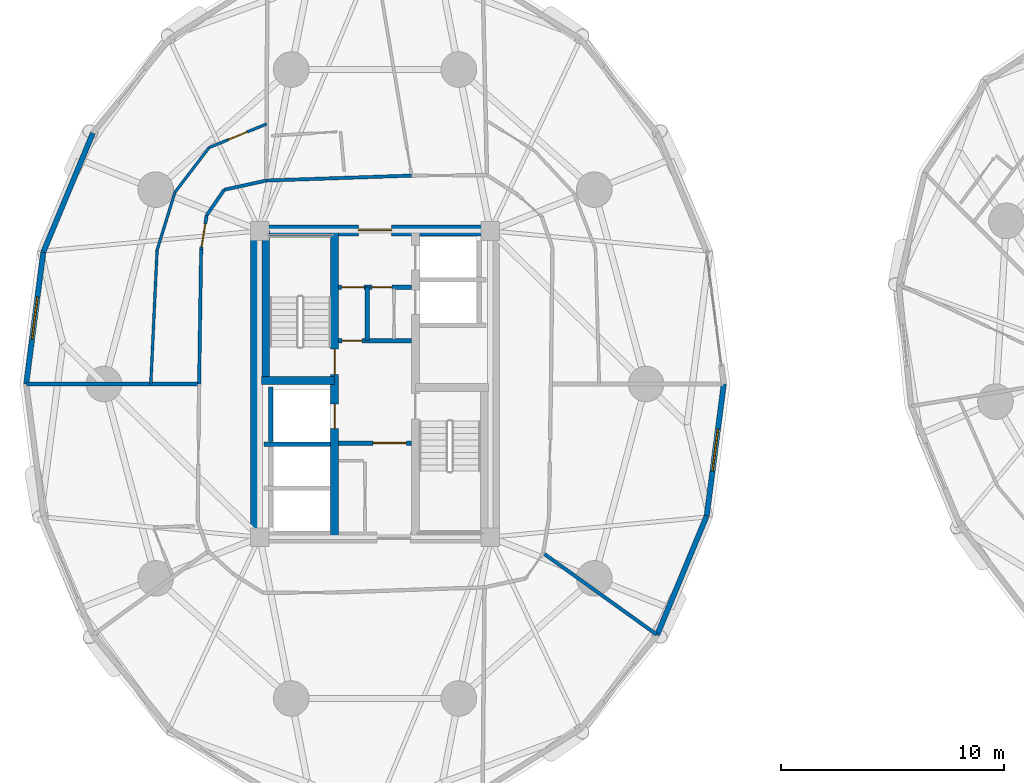
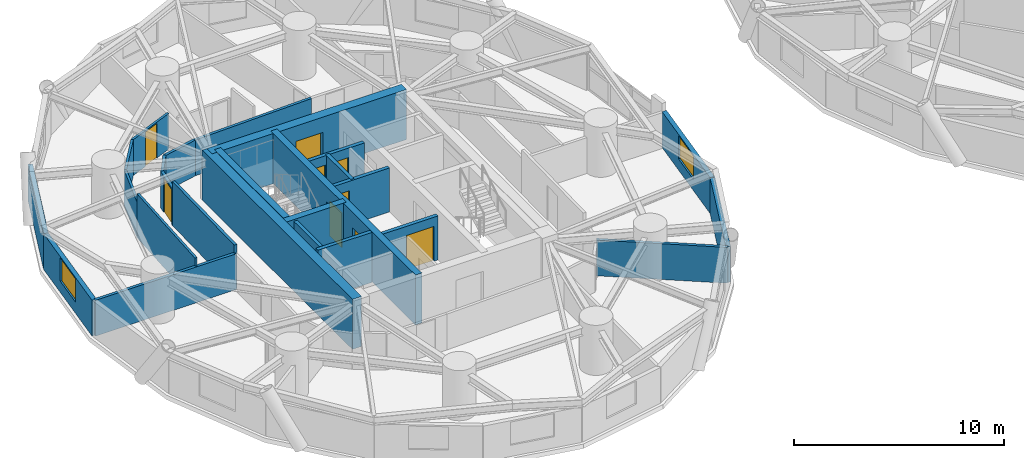
# One storey, part 9 of 16: 26 walls, 9 doors, 2 windows, 11 openings.
"""IFC4 building model written with IfcOpenShell, lengths in metres."""

from ifc_helpers import new_model, si_unit, direction, frame, frame_2d, origin, place, context, subcontext, project, spatial, rectangle, extrude, source, transform, mapped, material, layer, layer_set, type_object, element, fill, save


model = new_model("IFC4")

# Units and contexts
model_context = context("Model", 3, precision=1e-05, world=origin(), true_north=direction((0.0, 1.0)))
body_context = subcontext(model_context, "Body", "Model", "MODEL_VIEW")
ifc_project = project(units=[si_unit("LENGTHUNIT", "METRE"), si_unit("AREAUNIT", "SQUARE_METRE"), si_unit("VOLUMEUNIT", "CUBIC_METRE"), si_unit("PLANEANGLEUNIT", "RADIAN"), si_unit("MASSUNIT", "GRAM", prefix="KILO")], contexts=[model_context])

# Site, building, storey
site_placement = place(None, origin())
site = spatial("IfcSite", under=ifc_project, at=site_placement, CompositionType="ELEMENT")
building_placement = place(site_placement, origin())
building = spatial("IfcBuilding", under=site, at=building_placement, Name="Cununo Teusaquillo Station Towers", CompositionType="ELEMENT")
storey_placement = place(building_placement, frame((0.0, 0.0, 62.739990234375)))
storey = spatial("IfcBuildingStorey", under=building, at=storey_placement, Name="L19", CompositionType="ELEMENT", Elevation=62.739990234375)

# Walls
ifc_material_1 = material(Name="Concrete C50/60", Category="concrete")
ifc_layer_1 = layer(ifc_material_1, 0.199951171875)
ifc_layer_set_1 = layer_set([ifc_layer_1], Name="Concrete C50/60")
wall_type_1 = type_object("IfcWallType", Name="WL-CORE-200", PredefinedType="SHEAR", material=ifc_layer_set_1)
wall_1_placement = place(storey_placement, frame((11.52001953125, 21.800048828125, 0.0), z_axis=(0.0, 0.0, 1.0), x_axis=(1.0, 0.0, 0.0)))
element("IfcWall", 1, at=wall_1_placement, inside=storey, type_object=wall_type_1, Name="L19 Tower A Firefighting Lift Shaft South Shear Wall", PredefinedType="SHEAR", context=body_context, shape_type="SweptSolid", body=[
    extrude(rectangle(XDim=2.969970703125, YDim=0.199951171875, at=frame_2d((1.48486328125, 0.0))), origin(), (0.0, 0.0, 1.0), 2.909912109375),
])
wall_2_placement = place(storey_placement, frame((11.820068359375, 21.919921875, 0.0), z_axis=(0.0, 0.0, 1.0), x_axis=(0.0, 1.0, 0.0)))
element("IfcWall", 2, at=wall_2_placement, inside=storey, type_object=wall_type_1, Name="L19 Tower A Firefighting Lift Shaft Rear Shear Wall", PredefinedType="SHEAR", context=body_context, shape_type="SweptSolid", body=[
    extrude(rectangle(XDim=2.440185546875, YDim=0.199951171875, at=frame_2d((1.22021484375, 0.0))), origin(), (0.0, 0.0, 1.0), 2.909912109375),
])

# Wall, openings, doors
ifc_material_2 = material(Name="Concrete C50/60", Category="concrete")
ifc_layer_2 = layer(ifc_material_2, 0.35009765625)
ifc_layer_set_2 = layer_set([ifc_layer_2], Name="Concrete C50/60")
wall_type_2 = type_object("IfcWallType", Name="WL-CORE-350", PredefinedType="SHEAR", material=ifc_layer_set_2)
wall_3_placement = place(storey_placement, frame((14.68505859375, 17.60009765625, 0.0), z_axis=(0.0, 0.0, 1.0), x_axis=(0.0, 1.0, 0.0)))
wall_3 = element("IfcWall", 3, at=wall_3_placement, inside=storey, type_object=wall_type_2, Name="L19 Tower A Core Shear Wall IW", PredefinedType="SHEAR", context=body_context, shape_type="SweptSolid", body=[
    extrude(rectangle(XDim=13.7998046875, YDim=0.35009765625, at=frame_2d((6.89990234375, 0.0))), origin(), (0.0, 0.0, 1.0), 2.909912109375),
])
shared_shape_1 = source(origin(), body_context, "Body", "SweptSolid", [
    extrude(rectangle(XDim=1.10009765625, YDim=2.014892578125, at=frame_2d((0.550048828125, 1.00732421875))), frame((0.0, 0.18505859375, 0.0), z_axis=(0.0, -1.0, 0.0), x_axis=(1.0, 0.0, 0.0)), (0.0, 0.0, 1.0), 0.3701171875),
])
opening_1_placement = place(wall_3_placement, frame((4.89990234375, 0.0, 0.0)))
opening_1 = element("IfcOpeningElement", 4, at=opening_1_placement, cuts=wall_3, Name="Opening LD-01", PredefinedType="OPENING", context=body_context, shape_type="MappedRepresentation", body=[
    mapped(shared_shape_1, transform((0.0, 0.0, 0.0), x_axis=(1.0, 0.0, 0.0), y_axis=(0.0, 1.0, 0.0), z_axis=(0.0, 0.0, 1.0), scale=1.0)),
])
shared_shape_2 = source(origin(), body_context, "Body", "SweptSolid", [
    extrude(rectangle(XDim=1.14990234375, YDim=2.02001953125, at=frame_2d((0.574951171875, 1.010009765625))), frame((0.0, 0.18505859375, 0.0), z_axis=(0.0, -1.0, 0.0), x_axis=(1.0, 0.0, 0.0)), (0.0, 0.0, 1.0), 0.3701171875),
])
opening_2_placement = place(wall_3_placement, frame((7.320068359375, 0.0, 0.0)))
opening_2 = element("IfcOpeningElement", 5, at=opening_2_placement, cuts=wall_3, Name="Opening D-ST1", PredefinedType="OPENING", context=body_context, shape_type="MappedRepresentation", body=[
    mapped(shared_shape_2, transform((0.0, 0.0, 0.0), x_axis=(1.0, 0.0, 0.0), y_axis=(0.0, 1.0, 0.0), z_axis=(0.0, 0.0, 1.0), scale=1.0)),
])
ifc_material_3 = material(Name="Galvanised fire-rated hollow steel door assembly", Category="steel")
door_type_1 = type_object("IfcDoorType", Name="DR-LIFT-1100", OperationType="SLIDING_TO_LEFT", PredefinedType="DOOR", material=ifc_material_3)
shared_shape_3 = source(origin(), body_context, "Body", "SweptSolid", [
    extrude(rectangle(XDim=1.10009765625, YDim=2.014892578125, at=frame_2d((0.550048828125, 1.00732421875))), frame((0.0, 0.02490234375, 0.0), z_axis=(0.0, -1.0, 0.0), x_axis=(1.0, 0.0, 0.0)), (0.0, 0.0, 1.0), 0.050048828125),
])
door_1_placement = place(opening_1_placement, origin())
door_1 = element("IfcDoor", 6, at=door_1_placement, inside=storey, type_object=door_type_1, Name="L19 Lift FL-T1 Sliding Landing Door", OperationType="SLIDING_TO_RIGHT", OverallHeight=2.014892578125, OverallWidth=1.10009765625, PredefinedType="DOOR", context=body_context, shape_type="MappedRepresentation", body=[
    mapped(shared_shape_3, transform((0.0, 0.0, 0.0), x_axis=(1.0, 0.0, 0.0), y_axis=(0.0, 1.0, 0.0), z_axis=(0.0, 0.0, 1.0), scale=1.0)),
])
fill(opening_1, door_1)
ifc_material_4 = material(Name="Galvanised fire-rated hollow steel door assembly", Category="steel")
door_type_2 = type_object("IfcDoorType", Name="DR-STAIR-1150", OperationType="NOTDEFINED", PredefinedType="DOOR", material=ifc_material_4)
shared_shape_4 = source(origin(), body_context, "Body", "SweptSolid", [
    extrude(rectangle(XDim=1.14990234375, YDim=2.02001953125, at=frame_2d((0.574951171875, 1.010009765625))), frame((0.0, 0.02490234375, 0.0), z_axis=(0.0, -1.0, 0.0), x_axis=(1.0, 0.0, 0.0)), (0.0, 0.0, 1.0), 0.050048828125),
])
door_2_placement = place(opening_2_placement, origin())
door_2 = element("IfcDoor", 7, at=door_2_placement, inside=storey, type_object=door_type_2, Name="L19 Tower A Exit Stair 1 Fire Door", OperationType="SINGLE_SWING_RIGHT", OverallHeight=2.02001953125, OverallWidth=1.14990234375, PredefinedType="DOOR", context=body_context, shape_type="MappedRepresentation", body=[
    mapped(shared_shape_4, transform((0.0, 0.0, 0.0), x_axis=(1.0, 0.0, 0.0), y_axis=(0.0, 1.0, 0.0), z_axis=(0.0, 0.0, 1.0), scale=1.0)),
])
fill(opening_2, door_2)

# Walls
wall_4_placement = place(storey_placement, frame((11.594970703125, 24.655029296875, 0.0), z_axis=(0.0, 0.0, 1.0), x_axis=(0.0, 1.0, 0.0)))
element("IfcWall", 8, at=wall_4_placement, inside=storey, type_object=wall_type_2, Name="L19 Tower A Core Shear Wall ST1W", PredefinedType="SHEAR", context=body_context, shape_type="SweptSolid", body=[
    extrude(rectangle(XDim=6.744873046875, YDim=0.35009765625, at=frame_2d((3.37255859375, 0.0))), origin(), (0.0, 0.0, 1.0), 2.909912109375),
])
wall_5_placement = place(storey_placement, frame((11.39990234375, 24.655029296875, 0.0), z_axis=(0.0, 0.0, 1.0), x_axis=(1.0, 0.0, 0.0)))
element("IfcWall", 9, at=wall_5_placement, inside=storey, type_object=wall_type_2, Name="L19 Tower A Core Shear Wall ST1S", PredefinedType="SHEAR", context=body_context, shape_type="SweptSolid", body=[
    extrude(rectangle(XDim=3.28515625, YDim=0.35009765625, at=frame_2d((1.642578125, 0.0))), origin(), (0.0, 0.0, 1.0), 2.909912109375),
])
ifc_material_5 = material(Name="Concrete C60/75", Category="concrete")
ifc_layer_3 = layer(ifc_material_5, 0.5)
ifc_layer_set_3 = layer_set([ifc_layer_3], Name="Concrete C60/75")
wall_type_3 = type_object("IfcWallType", Name="WL-CORE-500", PredefinedType="SHEAR", material=ifc_layer_set_3)
wall_6_placement = place(storey_placement, frame((11.14990234375, 17.35009765625, 0.0), z_axis=(0.0, 0.0, 1.0), x_axis=(0.0, 1.0, 0.0)))
element("IfcWall", 10, at=wall_6_placement, inside=storey, type_object=wall_type_3, Name="L19 Tower A Core Shear Wall W", PredefinedType="SHEAR", context=body_context, shape_type="SweptSolid", body=[
    extrude(rectangle(XDim=14.2998046875, YDim=0.5, at=frame_2d((7.14990234375, 0.0))), origin(), (0.0, 0.0, 1.0), 2.909912109375),
])

# Wall, opening, door
wall_7_placement = place(storey_placement, frame((11.14990234375, 31.39990234375, 0.0), z_axis=(0.0, 0.0, 1.0), x_axis=(1.0, 0.0, 0.0)))
wall_7 = element("IfcWall", 11, at=wall_7_placement, inside=storey, type_object=wall_type_3, Name="L19 Tower A Core Shear Wall N", PredefinedType="SHEAR", context=body_context, shape_type="SweptSolid", body=[
    extrude(rectangle(XDim=10.7001953125, YDim=0.5, at=frame_2d((5.35009765625, 0.0))), origin(), (0.0, 0.0, 1.0), 2.909912109375),
])
shared_shape_5 = source(origin(), body_context, "Body", "SweptSolid", [
    extrude(rectangle(XDim=1.5, YDim=2.02001953125, at=frame_2d((0.75, 1.010009765625))), frame((0.0, 0.260009765625, 0.0), z_axis=(0.0, -1.0, 0.0), x_axis=(1.0, 0.0, 0.0)), (0.0, 0.0, 1.0), 0.52001953125),
])
opening_3_placement = place(wall_7_placement, frame((4.60009765625, 0.0, 0.0)))
opening_3 = element("IfcOpeningElement", 12, at=opening_3_placement, cuts=wall_7, Name="Opening D-LB1", PredefinedType="OPENING", context=body_context, shape_type="MappedRepresentation", body=[
    mapped(shared_shape_5, transform((0.0, 0.0, 0.0), x_axis=(1.0, 0.0, 0.0), y_axis=(0.0, 1.0, 0.0), z_axis=(0.0, 0.0, 1.0), scale=1.0)),
])
ifc_material_6 = material(Name="Galvanised fire-rated hollow steel door assembly", Category="steel")
door_type_3 = type_object("IfcDoorType", Name="DR-LOBBY-1500", OperationType="DOUBLE_DOOR_SINGLE_SWING", PredefinedType="DOOR", material=ifc_material_6)
shared_shape_6 = source(origin(), body_context, "Body", "SweptSolid", [
    extrude(rectangle(XDim=1.5, YDim=2.02001953125, at=frame_2d((0.75, 1.010009765625))), frame((0.0, 0.02490234375, 0.0), z_axis=(0.0, -1.0, 0.0), x_axis=(1.0, 0.0, 0.0)), (0.0, 0.0, 1.0), 0.050048828125),
])
door_3_placement = place(opening_3_placement, origin())
door_3 = element("IfcDoor", 13, at=door_3_placement, inside=storey, type_object=door_type_3, Name="L19 Tower A North Core Lift Lobby Door", OperationType="DOUBLE_DOOR_SINGLE_SWING", OverallHeight=2.02001953125, OverallWidth=1.5, PredefinedType="DOOR", context=body_context, shape_type="MappedRepresentation", body=[
    mapped(shared_shape_6, transform((0.0, 0.0, 0.0), x_axis=(1.0, 0.0, 0.0), y_axis=(0.0, 1.0, 0.0), z_axis=(0.0, 0.0, 1.0), scale=1.0)),
])
fill(opening_3, door_3)

# Wall
ifc_material_7 = material(Name="Precast concrete C40/50", Category="concrete")
ifc_layer_4 = layer(ifc_material_7, 0.239990234375)
ifc_layer_set_4 = layer_set([ifc_layer_4], Name="Precast concrete C40/50")
wall_type_4 = type_object("IfcWallType", Name="WL-EXT-240", PredefinedType="SOLIDWALL", material=ifc_layer_set_4)
wall_8_placement = place(storey_placement, frame((1.603515625, 30.423828125, 0.0), z_axis=(0.0, 0.0, 1.0), x_axis=(0.384348836956, 0.923187939442, 0.0)))
element("IfcWall", 14, at=wall_8_placement, inside=storey, type_object=wall_type_4, Name="L19 Tower A Exterior Facade Wall C08", PredefinedType="SOLIDWALL", context=body_context, shape_type="SweptSolid", body=[
    extrude(rectangle(XDim=5.78857421875, YDim=0.239990234375, at=frame_2d((2.894287109375, 0.0))), origin(), (0.0, 0.0, 1.0), 2.0791015625),
])

# Wall, opening, window
wall_9_placement = place(storey_placement, frame((0.8369140625, 24.5, 0.0), z_axis=(0.0, 0.0, 1.0), x_axis=(0.128339641463, 0.991730274031, 0.0)))
wall_9 = element("IfcWall", 15, at=wall_9_placement, inside=storey, type_object=wall_type_4, Name="L19 Tower A Exterior Facade Wall C09", PredefinedType="SOLIDWALL", context=body_context, shape_type="SweptSolid", body=[
    extrude(rectangle(XDim=5.97314453125, YDim=0.239990234375, at=frame_2d((2.986572265625, 0.0))), origin(), (0.0, 0.0, 1.0), 2.0791015625),
])
shared_shape_7 = source(origin(), body_context, "Body", "SweptSolid", [
    extrude(rectangle(XDim=1.89990234375, YDim=1.35009765625, at=frame_2d((0.949951171875, 0.675048828125))), frame((0.0, 0.1298828125, 0.0), z_axis=(0.0, -1.0, 0.0), x_axis=(1.0, 0.0, 0.0)), (0.0, 0.0, 1.0), 0.260009765625),
])
opening_4_placement = place(wall_9_placement, frame((2.037109375, 0.0, 0.64990234375)))
opening_4 = element("IfcOpeningElement", 16, at=opening_4_placement, cuts=wall_9, Name="Opening WN-02", PredefinedType="OPENING", context=body_context, shape_type="MappedRepresentation", body=[
    mapped(shared_shape_7, transform((0.0, 0.0, 0.0), x_axis=(1.0, 0.0, 0.0), y_axis=(0.0, 1.0, 0.0), z_axis=(0.0, 0.0, 1.0), scale=1.0)),
])
ifc_material_8 = material(Name="Operable acoustic tinted low-E double glazing", Category="glass")
window_type = type_object("IfcWindowType", Name="WIN-OPER-1900", PartitioningType="DOUBLE_PANEL_VERTICAL", PredefinedType="WINDOW", material=ifc_material_8)
shared_shape_8 = source(origin(), body_context, "Body", "SweptSolid", [
    extrude(rectangle(XDim=1.89990234375, YDim=1.35009765625, at=frame_2d((0.949951171875, 0.675048828125))), frame((0.0, 0.030029296875, 0.0), z_axis=(0.0, -1.0, 0.0), x_axis=(1.0, 0.0, 0.0)), (0.0, 0.0, 1.0), 0.06005859375),
])
window_1_placement = place(opening_4_placement, origin())
window_1 = element("IfcWindow", 17, at=window_1_placement, inside=storey, type_object=window_type, Name="L19 Tower A Facade Window C09", OverallHeight=1.35009765625, OverallWidth=1.89990234375, PartitioningType="DOUBLE_PANEL_VERTICAL", PredefinedType="WINDOW", context=body_context, shape_type="MappedRepresentation", body=[
    mapped(shared_shape_8, transform((0.0, 0.0, 0.0), x_axis=(1.0, 0.0, 0.0), y_axis=(0.0, 1.0, 0.0), z_axis=(0.0, 0.0, 1.0), scale=1.0)),
])
fill(opening_4, window_1)

# Wall
wall_10_placement = place(storey_placement, frame((31.396484375, 18.576171875, 0.0), z_axis=(0.0, 0.0, 1.0), x_axis=(-0.384348836956, -0.923187939442, 0.0)))
element("IfcWall", 18, at=wall_10_placement, inside=storey, type_object=wall_type_4, Name="L19 Tower A Exterior Facade Wall C18", PredefinedType="SOLIDWALL", context=body_context, shape_type="SweptSolid", body=[
    extrude(rectangle(XDim=5.78857421875, YDim=0.239990234375, at=frame_2d((2.894287109375, 0.0))), origin(), (0.0, 0.0, 1.0), 2.0791015625),
])

# Wall, opening, window
wall_11_placement = place(storey_placement, frame((32.1630859375, 24.5, 0.0), z_axis=(0.0, 0.0, 1.0), x_axis=(-0.128339641463, -0.991730274031, 0.0)))
wall_11 = element("IfcWall", 19, at=wall_11_placement, inside=storey, type_object=wall_type_4, Name="L19 Tower A Exterior Facade Wall C19", PredefinedType="SOLIDWALL", context=body_context, shape_type="SweptSolid", body=[
    extrude(rectangle(XDim=5.97314453125, YDim=0.239990234375, at=frame_2d((2.986572265625, 0.0))), origin(), (0.0, 0.0, 1.0), 2.0791015625),
])
opening_5_placement = place(wall_11_placement, frame((2.037109375, 0.0, 0.64990234375)))
opening_5 = element("IfcOpeningElement", 20, at=opening_5_placement, cuts=wall_11, Name="Opening WN-02", PredefinedType="OPENING", context=body_context, shape_type="MappedRepresentation", body=[
    mapped(shared_shape_7, transform((0.0, 0.0, 0.0), x_axis=(1.0, 0.0, 0.0), y_axis=(0.0, 1.0, 0.0), z_axis=(0.0, 0.0, 1.0), scale=1.0)),
])
window_2_placement = place(opening_5_placement, origin())
window_2 = element("IfcWindow", 21, at=window_2_placement, inside=storey, type_object=window_type, Name="L19 Tower A Facade Window C19", OverallHeight=1.35009765625, OverallWidth=1.89990234375, PartitioningType="DOUBLE_PANEL_VERTICAL", PredefinedType="WINDOW", context=body_context, shape_type="MappedRepresentation", body=[
    mapped(shared_shape_8, transform((0.0, 0.0, 0.0), x_axis=(1.0, 0.0, 0.0), y_axis=(0.0, 1.0, 0.0), z_axis=(0.0, 0.0, 1.0), scale=1.0)),
])
fill(opening_5, window_2)

# Wall, opening, door
ifc_material_9 = material(Name="Fire-rated gypsum plasterboard partition assembly", Category="gypsum")
ifc_layer_5 = layer(ifc_material_9, 0.125)
ifc_layer_set_5 = layer_set([ifc_layer_5], Name="Fire-rated gypsum plasterboard partition assembly")
wall_type_5 = type_object("IfcWallType", Name="WL-PART-125", PredefinedType="PARTITIONING", material=ifc_layer_set_5)
wall_12_placement = place(storey_placement, frame((11.6328125, 36.17822265625, 0.0), z_axis=(0.0, 0.0, 1.0), x_axis=(-0.92528752303, -0.379266396779, 0.0)))
wall_12 = element("IfcWall", 22, at=wall_12_placement, inside=storey, type_object=wall_type_5, Name="L19 Tower A Wellness Fitness & Movement Hall Concentric Partition Wall C06", PredefinedType="PARTITIONING", context=body_context, shape_type="SweptSolid", body=[
    extrude(rectangle(XDim=2.79052734375, YDim=0.125, at=frame_2d((1.395263671875, 0.0))), origin(), (0.0, 0.0, 1.0), 2.0791015625),
])
shared_shape_9 = source(origin(), body_context, "Body", "SweptSolid", [
    extrude(rectangle(XDim=0.89990234375, YDim=2.0048828125, at=frame_2d((0.449951171875, 1.00244140625))), frame((0.0, 0.072509765625, 0.0), z_axis=(0.0, -1.0, 0.0), x_axis=(1.0, 0.0, 0.0)), (0.0, 0.0, 1.0), 0.14501953125),
])
opening_6_placement = place(wall_12_placement, frame((0.9453125, 0.0, 0.0)))
opening_6 = element("IfcOpeningElement", 23, at=opening_6_placement, cuts=wall_12, Name="Opening D-IN1", PredefinedType="OPENING", context=body_context, shape_type="MappedRepresentation", body=[
    mapped(shared_shape_9, transform((0.0, 0.0, 0.0), x_axis=(1.0, 0.0, 0.0), y_axis=(0.0, 1.0, 0.0), z_axis=(0.0, 0.0, 1.0), scale=1.0)),
])
ifc_material_10 = material(Name="Acoustic solid-core hardwood leaf assembly", Category="wood")
door_type_4 = type_object("IfcDoorType", Name="DR-INT-900", OperationType="NOTDEFINED", PredefinedType="DOOR", material=ifc_material_10)
shared_shape_10 = source(origin(), body_context, "Body", "SweptSolid", [
    extrude(rectangle(XDim=0.89990234375, YDim=2.0048828125, at=frame_2d((0.449951171875, 1.00244140625))), frame((0.0, 0.02490234375, 0.0), z_axis=(0.0, -1.0, 0.0), x_axis=(1.0, 0.0, 0.0)), (0.0, 0.0, 1.0), 0.050048828125),
])
door_4_placement = place(opening_6_placement, origin())
door_4 = element("IfcDoor", 24, at=door_4_placement, inside=storey, type_object=door_type_4, Name="L19 Tower A Wellness Fitness & Movement Hall Connecting Door", OperationType="SINGLE_SWING_LEFT", OverallHeight=2.0048828125, OverallWidth=0.89990234375, PredefinedType="DOOR", context=body_context, shape_type="MappedRepresentation", body=[
    mapped(shared_shape_10, transform((0.0, 0.0, 0.0), x_axis=(1.0, 0.0, 0.0), y_axis=(0.0, 1.0, 0.0), z_axis=(0.0, 0.0, 1.0), scale=1.0)),
])
fill(opening_6, door_4)

# Walls
wall_13_placement = place(storey_placement, frame((9.05078125, 35.119873046875, 0.0), z_axis=(0.0, 0.0, 1.0), x_axis=(-0.607256827378, -0.79450559822, 0.0)))
element("IfcWall", 25, at=wall_13_placement, inside=storey, type_object=wall_type_5, Name="L19 Tower A Wellness Fitness & Movement Hall Concentric Partition Wall C07", PredefinedType="PARTITIONING", context=body_context, shape_type="SweptSolid", body=[
    extrude(rectangle(XDim=2.531982421875, YDim=0.125, at=frame_2d((1.26611328125, 0.0))), origin(), (0.0, 0.0, 1.0), 2.0791015625),
])
wall_14_placement = place(storey_placement, frame((7.51318359375, 33.108154296875, 0.0), z_axis=(0.0, 0.0, 1.0), x_axis=(-0.294167851511, -0.955753773279, 0.0)))
element("IfcWall", 26, at=wall_14_placement, inside=storey, type_object=wall_type_5, Name="L19 Tower A Wellness Fitness & Movement Hall Concentric Partition Wall C08", PredefinedType="PARTITIONING", context=body_context, shape_type="SweptSolid", body=[
    extrude(rectangle(XDim=2.7197265625, YDim=0.125, at=frame_2d((1.35986328125, 0.0))), origin(), (0.0, 0.0, 1.0), 2.0791015625),
])
wall_15_placement = place(storey_placement, frame((6.713134765625, 30.5087890625, 0.0), z_axis=(0.0, 0.0, 1.0), x_axis=(-0.046755247216, -0.998906375422, 0.0)))
element("IfcWall", 27, at=wall_15_placement, inside=storey, type_object=wall_type_5, Name="L19 Tower A Wellness Fitness & Movement Hall Concentric Partition Wall C09", PredefinedType="PARTITIONING", context=body_context, shape_type="SweptSolid", body=[
    extrude(rectangle(XDim=6.015380859375, YDim=0.125, at=frame_2d((3.0078125, 0.0))), origin(), (0.0, 0.0, 1.0), 2.554931640625),
])
ifc_material_11 = material(Name="Fire-rated gypsum plasterboard partition assembly", Category="gypsum")
ifc_layer_6 = layer(ifc_material_11, 0.14990234375)
ifc_layer_set_6 = layer_set([ifc_layer_6], Name="Fire-rated gypsum plasterboard partition assembly")
wall_type_6 = type_object("IfcWallType", Name="WL-PART-150", PredefinedType="PARTITIONING", material=ifc_layer_set_6)
wall_16_placement = place(storey_placement, frame((18.142822265625, 33.859619140625, 0.0), z_axis=(0.0, 0.0, 1.0), x_axis=(-0.999419208319, -0.034077060363, 0.0)))
element("IfcWall", 28, at=wall_16_placement, inside=storey, type_object=wall_type_6, Name="L19 Tower A Corridor Ring Wall C05", PredefinedType="PARTITIONING", context=body_context, shape_type="SweptSolid", body=[
    extrude(rectangle(XDim=6.52685546875, YDim=0.14990234375, at=frame_2d((3.263427734375, 0.0))), origin(), (0.0, 0.0, 1.0), 2.0791015625),
])
wall_17_placement = place(storey_placement, frame((11.619873046875, 33.63720703125, 0.0), z_axis=(0.0, 0.0, 1.0), x_axis=(-0.97702579435, -0.213121085711, 0.0)))
element("IfcWall", 29, at=wall_17_placement, inside=storey, type_object=wall_type_6, Name="L19 Tower A Corridor Ring Wall C06", PredefinedType="PARTITIONING", context=body_context, shape_type="SweptSolid", body=[
    extrude(rectangle(XDim=1.934814453125, YDim=0.14990234375, at=frame_2d((0.96728515625, 0.0))), origin(), (0.0, 0.0, 1.0), 2.0791015625),
])
wall_18_placement = place(storey_placement, frame((9.7294921875, 33.224853515625, 0.0), z_axis=(0.0, 0.0, 1.0), x_axis=(-0.567183649484, -0.82359134755, 0.0)))
element("IfcWall", 30, at=wall_18_placement, inside=storey, type_object=wall_type_6, Name="L19 Tower A Corridor Ring Wall C07", PredefinedType="PARTITIONING", context=body_context, shape_type="SweptSolid", body=[
    extrude(rectangle(XDim=1.39208984375, YDim=0.14990234375, at=frame_2d((0.696044921875, 0.0))), origin(), (0.0, 0.0, 1.0), 2.0791015625),
])

# Wall, opening, door
wall_19_placement = place(storey_placement, frame((8.93994140625, 32.078369140625, 0.0), z_axis=(0.0, 0.0, 1.0), x_axis=(-0.159148467753, -0.98725466077, 0.0)))
wall_19 = element("IfcWall", 31, at=wall_19_placement, inside=storey, type_object=wall_type_6, Name="L19 Tower A Corridor Ring Wall C08", PredefinedType="PARTITIONING", context=body_context, shape_type="SweptSolid", body=[
    extrude(rectangle(XDim=1.553955078125, YDim=0.14990234375, at=frame_2d((0.77685546875, 0.0))), origin(), (0.0, 0.0, 1.0), 2.125),
])
shared_shape_11 = source(origin(), body_context, "Body", "SweptSolid", [
    extrude(rectangle(XDim=1.050048828125, YDim=2.014892578125, at=frame_2d((0.52490234375, 1.00732421875))), frame((0.0, 0.0849609375, 0.0), z_axis=(0.0, -1.0, 0.0), x_axis=(1.0, 0.0, 0.0)), (0.0, 0.0, 1.0), 0.169921875),
])
opening_7_placement = place(wall_19_placement, frame((0.384033203125, 0.0, 0.0)))
opening_7 = element("IfcOpeningElement", 32, at=opening_7_placement, cuts=wall_19, Name="Opening D-SU1", PredefinedType="OPENING", context=body_context, shape_type="MappedRepresentation", body=[
    mapped(shared_shape_11, transform((0.0, 0.0, 0.0), x_axis=(1.0, 0.0, 0.0), y_axis=(0.0, 1.0, 0.0), z_axis=(0.0, 0.0, 1.0), scale=1.0)),
])
ifc_material_12 = material(Name="Acoustic solid-core hardwood leaf assembly", Category="wood")
door_type_5 = type_object("IfcDoorType", Name="DR-SUITE-1050", OperationType="NOTDEFINED", PredefinedType="DOOR", material=ifc_material_12)
shared_shape_12 = source(origin(), body_context, "Body", "SweptSolid", [
    extrude(rectangle(XDim=1.050048828125, YDim=2.014892578125, at=frame_2d((0.52490234375, 1.00732421875))), frame((0.0, 0.02490234375, 0.0), z_axis=(0.0, -1.0, 0.0), x_axis=(1.0, 0.0, 0.0)), (0.0, 0.0, 1.0), 0.050048828125),
])
door_5_placement = place(opening_7_placement, origin())
door_5 = element("IfcDoor", 33, at=door_5_placement, inside=storey, type_object=door_type_5, Name="L19 Tower A Wellness Fitness & Movement Hall Entrance Door", OperationType="SINGLE_SWING_RIGHT", OverallHeight=2.014892578125, OverallWidth=1.050048828125, PredefinedType="DOOR", context=body_context, shape_type="MappedRepresentation", body=[
    mapped(shared_shape_12, transform((0.0, 0.0, 0.0), x_axis=(1.0, 0.0, 0.0), y_axis=(0.0, 1.0, 0.0), z_axis=(0.0, 0.0, 1.0), scale=1.0)),
])
fill(opening_7, door_5)

# Walls
wall_20_placement = place(storey_placement, frame((8.692626953125, 30.544189453125, 0.0), z_axis=(0.0, 0.0, 1.0), x_axis=(-0.015307007986, -0.99988284089, 0.0)))
element("IfcWall", 34, at=wall_20_placement, inside=storey, type_object=wall_type_6, Name="L19 Tower A Corridor Ring Wall C09", PredefinedType="PARTITIONING", context=body_context, shape_type="SweptSolid", body=[
    extrude(rectangle(XDim=6.044921875, YDim=0.14990234375, at=frame_2d((3.0224609375, 0.0))), origin(), (0.0, 0.0, 1.0), 2.554931640625),
])
ifc_material_13 = material(Name="Fire-rated gypsum plasterboard partition assembly", Category="gypsum")
ifc_layer_7 = layer(ifc_material_13, 0.159912109375)
ifc_layer_set_7 = layer_set([ifc_layer_7], Name="Fire-rated gypsum plasterboard partition assembly")
wall_type_7 = type_object("IfcWallType", Name="WL-PART-160", PredefinedType="PARTITIONING", material=ifc_layer_set_7)
wall_21_placement = place(storey_placement, frame((8.60009765625, 24.5, 0.0), z_axis=(0.0, 0.0, 1.0), x_axis=(-1.0, 0.0, 0.0)))
element("IfcWall", 35, at=wall_21_placement, inside=storey, type_object=wall_type_7, Name="L19 Tower A Radial Suite Partition R04", PredefinedType="PARTITIONING", context=body_context, shape_type="SweptSolid", body=[
    extrude(rectangle(XDim=7.7431640625, YDim=0.159912109375, at=frame_2d((3.87158203125, 0.0))), origin(), (0.0, 0.0, 1.0), 2.0791015625),
])
wall_22_placement = place(storey_placement, frame((24.052001953125, 16.904541015625, 0.0), z_axis=(0.0, 0.0, 1.0), x_axis=(0.812581474608, -0.582847619129, 0.0)))
element("IfcWall", 36, at=wall_22_placement, inside=storey, type_object=wall_type_7, Name="L19 Tower A Radial Suite Partition R07", PredefinedType="PARTITIONING", context=body_context, shape_type="SweptSolid", body=[
    extrude(rectangle(XDim=6.280517578125, YDim=0.159912109375, at=frame_2d((3.14013671875, 0.0))), origin(), (0.0, 0.0, 1.0), 2.0791015625),
])

# Wall, opening, door
ifc_material_14 = material(Name="Fire-rated gypsum plasterboard partition assembly", Category="gypsum")
ifc_layer_8 = layer(ifc_material_14, 0.199951171875)
ifc_layer_set_8 = layer_set([ifc_layer_8], Name="Fire-rated gypsum plasterboard partition assembly")
wall_type_8 = type_object("IfcWallType", Name="WL-PART-200", PredefinedType="PARTITIONING", material=ifc_layer_set_8)
wall_23_placement = place(storey_placement, frame((14.860107421875, 21.85009765625, 0.0), z_axis=(0.0, 0.0, 1.0), x_axis=(1.0, 0.0, 0.0)))
wall_23 = element("IfcWall", 37, at=wall_23_placement, inside=storey, type_object=wall_type_8, Name="L19 Tower A Firefighting Lift Lobby South Fire Wall", PredefinedType="PARTITIONING", context=body_context, shape_type="SweptSolid", body=[
    extrude(rectangle(XDim=3.27978515625, YDim=0.199951171875, at=frame_2d((1.639892578125, 0.0))), origin(), (0.0, 0.0, 1.0), 2.554931640625),
])
shared_shape_13 = source(origin(), body_context, "Body", "SweptSolid", [
    extrude(rectangle(XDim=1.5, YDim=2.02001953125, at=frame_2d((0.75, 1.010009765625))), frame((0.0, 0.10986328125, 0.0), z_axis=(0.0, -1.0, 0.0), x_axis=(1.0, 0.0, 0.0)), (0.0, 0.0, 1.0), 0.219970703125),
])
opening_8_placement = place(wall_23_placement, frame((1.550048828125, 0.0, 0.0)))
opening_8 = element("IfcOpeningElement", 38, at=opening_8_placement, cuts=wall_23, Name="Opening D-LB1", PredefinedType="OPENING", context=body_context, shape_type="MappedRepresentation", body=[
    mapped(shared_shape_13, transform((0.0, 0.0, 0.0), x_axis=(1.0, 0.0, 0.0), y_axis=(0.0, 1.0, 0.0), z_axis=(0.0, 0.0, 1.0), scale=1.0)),
])
door_6_placement = place(opening_8_placement, origin())
door_6 = element("IfcDoor", 39, at=door_6_placement, inside=storey, type_object=door_type_3, Name="L19 Tower A Firefighting Lift Lobby South Fire Door", OperationType="DOUBLE_DOOR_SINGLE_SWING", OverallHeight=2.02001953125, OverallWidth=1.5, PredefinedType="DOOR", context=body_context, shape_type="MappedRepresentation", body=[
    mapped(shared_shape_6, transform((0.0, 0.0, 0.0), x_axis=(1.0, 0.0, 0.0), y_axis=(0.0, 1.0, 0.0), z_axis=(0.0, 0.0, 1.0), scale=1.0)),
])
fill(opening_8, door_6)

wall_24_placement = place(storey_placement, frame((14.860107421875, 26.449951171875, 0.0), z_axis=(0.0, 0.0, 1.0), x_axis=(1.0, 0.0, 0.0)))
wall_24 = element("IfcWall", 40, at=wall_24_placement, inside=storey, type_object=wall_type_8, Name="L19 Tower A Firefighting Lift Lobby North Fire Wall", PredefinedType="PARTITIONING", context=body_context, shape_type="SweptSolid", body=[
    extrude(rectangle(XDim=3.27978515625, YDim=0.199951171875, at=frame_2d((1.639892578125, 0.0))), origin(), (0.0, 0.0, 1.0), 2.554931640625),
])
shared_shape_14 = source(origin(), body_context, "Body", "SweptSolid", [
    extrude(rectangle(XDim=0.89990234375, YDim=2.0048828125, at=frame_2d((0.449951171875, 1.00244140625))), frame((0.0, 0.10986328125, 0.0), z_axis=(0.0, -1.0, 0.0), x_axis=(1.0, 0.0, 0.0)), (0.0, 0.0, 1.0), 0.219970703125),
])
opening_9_placement = place(wall_24_placement, frame((0.159912109375, 0.0, 0.0)))
opening_9 = element("IfcOpeningElement", 41, at=opening_9_placement, cuts=wall_24, Name="Opening D-SR1", PredefinedType="OPENING", context=body_context, shape_type="MappedRepresentation", body=[
    mapped(shared_shape_14, transform((0.0, 0.0, 0.0), x_axis=(1.0, 0.0, 0.0), y_axis=(0.0, 1.0, 0.0), z_axis=(0.0, 0.0, 1.0), scale=1.0)),
])
ifc_material_15 = material(Name="Galvanised fire-rated hollow steel door assembly", Category="steel")
door_type_6 = type_object("IfcDoorType", Name="DR-STORE-900", OperationType="NOTDEFINED", PredefinedType="DOOR", material=ifc_material_15)
door_7_placement = place(opening_9_placement, origin())
door_7 = element("IfcDoor", 42, at=door_7_placement, inside=storey, type_object=door_type_6, Name="L19 Tower A Stair 1 Protected Vestibule South Door", OperationType="SINGLE_SWING_RIGHT", OverallHeight=2.0048828125, OverallWidth=0.89990234375, PredefinedType="DOOR", context=body_context, shape_type="MappedRepresentation", body=[
    mapped(shared_shape_10, transform((0.0, 0.0, 0.0), x_axis=(1.0, 0.0, 0.0), y_axis=(0.0, 1.0, 0.0), z_axis=(0.0, 0.0, 1.0), scale=1.0)),
])
fill(opening_9, door_7)

# Wall
wall_25_placement = place(storey_placement, frame((16.14990234375, 26.449951171875, 0.0), z_axis=(0.0, 0.0, 1.0), x_axis=(0.0, 1.0, 0.0)))
element("IfcWall", 43, at=wall_25_placement, inside=storey, type_object=wall_type_8, Name="L19 Tower A Stair 1 Vestibule Partition Wall", PredefinedType="PARTITIONING", context=body_context, shape_type="SweptSolid", body=[
    extrude(rectangle(XDim=2.400146484375, YDim=0.199951171875, at=frame_2d((1.2001953125, 0.0))), origin(), (0.0, 0.0, 1.0), 2.554931640625),
])

# Wall, openings, doors
wall_26_placement = place(storey_placement, frame((14.860107421875, 28.85009765625, 0.0), z_axis=(0.0, 0.0, 1.0), x_axis=(1.0, 0.0, 0.0)))
wall_26 = element("IfcWall", 44, at=wall_26_placement, inside=storey, type_object=wall_type_8, Name="L19 Tower A North Lift Lobby South Fire Wall", PredefinedType="PARTITIONING", context=body_context, shape_type="SweptSolid", body=[
    extrude(rectangle(XDim=3.27978515625, YDim=0.199951171875, at=frame_2d((1.639892578125, 0.0))), origin(), (0.0, 0.0, 1.0), 2.554931640625),
])
shared_shape_15 = source(origin(), body_context, "Body", "SweptSolid", [
    extrude(rectangle(XDim=1.0, YDim=2.014892578125, at=frame_2d((0.5, 1.00732421875))), frame((0.0, 0.10986328125, 0.0), z_axis=(0.0, -1.0, 0.0), x_axis=(1.0, 0.0, 0.0)), (0.0, 0.0, 1.0), 0.219970703125),
])
opening_10_placement = place(wall_26_placement, frame((0.139892578125, 0.0, 0.0)))
opening_10 = element("IfcOpeningElement", 45, at=opening_10_placement, cuts=wall_26, Name="Opening D-AC1", PredefinedType="OPENING", context=body_context, shape_type="MappedRepresentation", body=[
    mapped(shared_shape_15, transform((0.0, 0.0, 0.0), x_axis=(1.0, 0.0, 0.0), y_axis=(0.0, 1.0, 0.0), z_axis=(0.0, 0.0, 1.0), scale=1.0)),
])
opening_11_placement = place(wall_26_placement, frame((1.5, 0.0, 0.0)))
opening_11 = element("IfcOpeningElement", 46, at=opening_11_placement, cuts=wall_26, Name="Opening D-SR1", PredefinedType="OPENING", context=body_context, shape_type="MappedRepresentation", body=[
    mapped(shared_shape_14, transform((0.0, 0.0, 0.0), x_axis=(1.0, 0.0, 0.0), y_axis=(0.0, 1.0, 0.0), z_axis=(0.0, 0.0, 1.0), scale=1.0)),
])
door_8_placement = place(opening_11_placement, origin())
door_8 = element("IfcDoor", 47, at=door_8_placement, inside=storey, type_object=door_type_6, Name="L19 Tower A Core Housekeeping Store Door", OperationType="SINGLE_SWING_LEFT", OverallHeight=2.0048828125, OverallWidth=0.89990234375, PredefinedType="DOOR", context=body_context, shape_type="MappedRepresentation", body=[
    mapped(shared_shape_10, transform((0.0, 0.0, 0.0), x_axis=(1.0, 0.0, 0.0), y_axis=(0.0, 1.0, 0.0), z_axis=(0.0, 0.0, 1.0), scale=1.0)),
])
fill(opening_11, door_8)
ifc_material_16 = material(Name="Acoustic solid-core hardwood leaf assembly", Category="wood")
door_type_7 = type_object("IfcDoorType", Name="DR-ACC-1000", OperationType="NOTDEFINED", PredefinedType="DOOR", material=ifc_material_16)
shared_shape_16 = source(origin(), body_context, "Body", "SweptSolid", [
    extrude(rectangle(XDim=1.0, YDim=2.014892578125, at=frame_2d((0.5, 1.00732421875))), frame((0.0, 0.02490234375, 0.0), z_axis=(0.0, -1.0, 0.0), x_axis=(1.0, 0.0, 0.0)), (0.0, 0.0, 1.0), 0.050048828125),
])
door_9_placement = place(opening_10_placement, origin())
door_9 = element("IfcDoor", 48, at=door_9_placement, inside=storey, type_object=door_type_7, Name="L19 Tower A North Lift Lobby to Stair 1 Vestibule Door", OperationType="SINGLE_SWING_LEFT", OverallHeight=2.014892578125, OverallWidth=1.0, PredefinedType="DOOR", context=body_context, shape_type="MappedRepresentation", body=[
    mapped(shared_shape_16, transform((0.0, 0.0, 0.0), x_axis=(1.0, 0.0, 0.0), y_axis=(0.0, 1.0, 0.0), z_axis=(0.0, 0.0, 1.0), scale=1.0)),
])
fill(opening_10, door_9)

save(model, "model.ifc")
